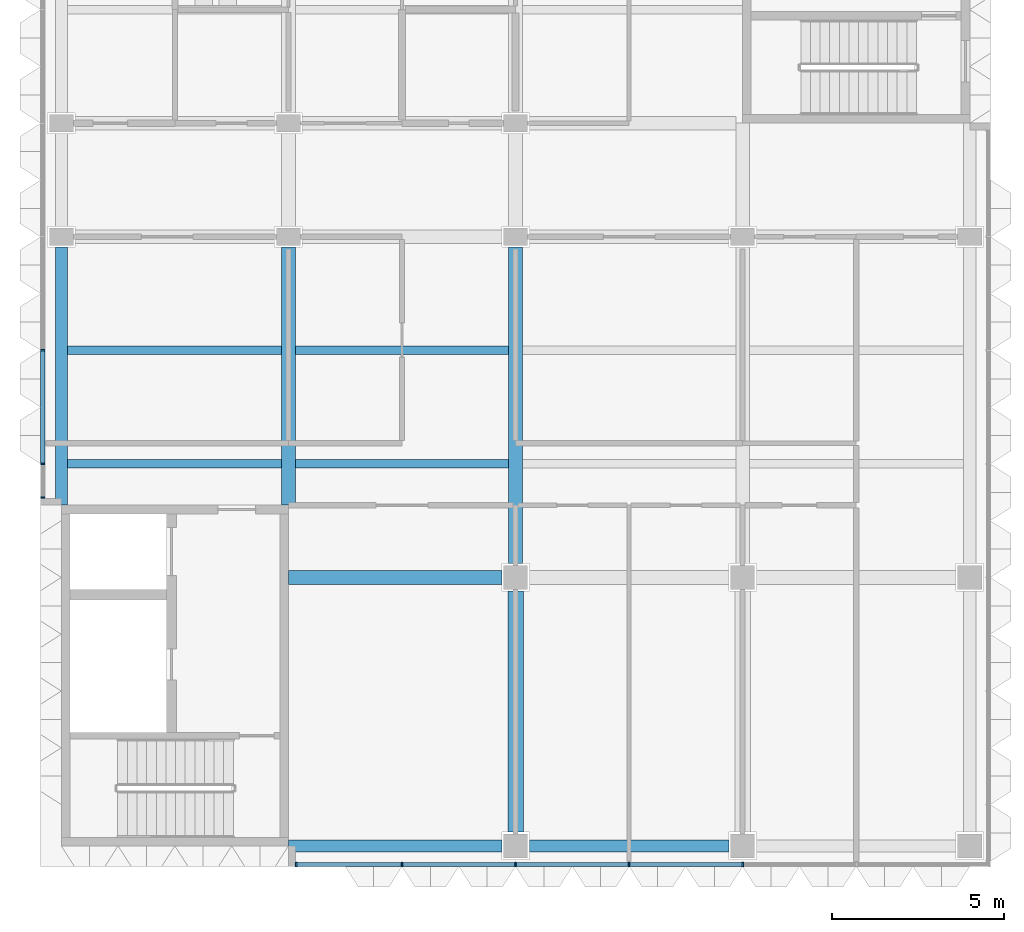
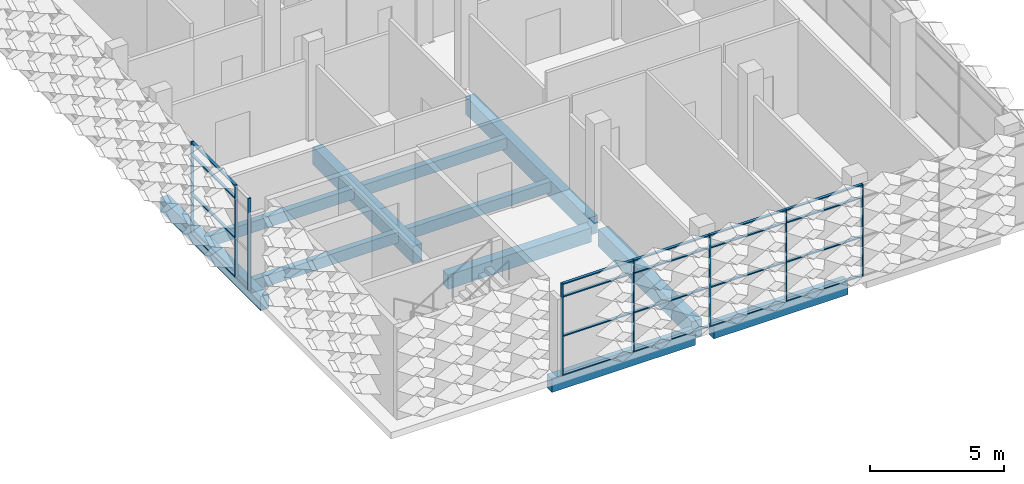
# One storey, part 2 of 29: 28 members, 11 beams, 2 elements without a shape of their own.
"""IFC4 building model written with IfcOpenShell, lengths in metres."""

from ifc_helpers import new_model, si_unit, direction, frame, origin, origin_2d, place, context, subcontext, project, spatial, rectangle, extrude, material, material_profile, profile_set, type_object, element, aggregate, save


model = new_model("IFC4")

# Units and contexts
model_context = context("Model", 3, precision=1e-05, world=origin(), true_north=direction((0.0, 1.0)))
body_context = subcontext(model_context, "Body", "Model", "MODEL_VIEW")
ifc_project = project(units=[si_unit("LENGTHUNIT", "METRE"), si_unit("AREAUNIT", "SQUARE_METRE"), si_unit("VOLUMEUNIT", "CUBIC_METRE"), si_unit("PLANEANGLEUNIT", "RADIAN"), si_unit("MASSUNIT", "GRAM", prefix="KILO")], contexts=[model_context])

# Site, building, storey
site_placement = place(None, origin())
site = spatial("IfcSite", under=ifc_project, at=site_placement, CompositionType="ELEMENT")
building_placement = place(site_placement, origin())
building = spatial("IfcBuilding", under=site, at=building_placement, Name="Lantern Court Research Institute", CompositionType="ELEMENT")
storey_placement = place(building_placement, frame((0.0, 0.0, 32.39990234375)))
storey = spatial("IfcBuildingStorey", under=building, at=storey_placement, Name="L07", CompositionType="ELEMENT", Elevation=32.39990234375)

# Curtain wall, members
ifc_material_1 = material(Name="Aluminium alloy 6063-T6", Category="aluminium")
curtain_wall_type_1 = type_object("IfcCurtainWallType", Name="Curtain wall 20200 x 4200 x 120 aluminium frame", PredefinedType="NOTDEFINED", material=ifc_material_1)
curtain_wall_1_placement = place(storey_placement, origin())
curtain_wall_1 = element("IfcCurtainWall", 1, at=curtain_wall_1_placement, inside=storey, type_object=curtain_wall_type_1, Name="Curtain wall CW083", PredefinedType="NOTDEFINED")
ifc_material_2 = material(Name="Aluminium alloy 6063-T6", Category="aluminium")
ifc_material_profile_1 = material_profile(ifc_material_2, rectangle(XDim=0.1201171875, YDim=0.050048828125, at=origin_2d()), Name="Mullion 120 x 50")
ifc_profile_set_1 = profile_set([ifc_material_profile_1], Name="Aluminium alloy 6063-T6")
member_type_1 = type_object("IfcMemberType", Name="Mullion 120 x 50 aluminium", PredefinedType="MULLION", material=ifc_profile_set_1)
member_1_placement = place(storey_placement, frame((59.625, -8.340087890625, 0.0), z_axis=(0.0, 0.0, 1.0), x_axis=(0.0, -1.0, 0.0)))
member_1 = element("IfcMember", 2, at=member_1_placement, type_object=member_type_1, Name="CW083 mullion 1", PredefinedType="MULLION", context=body_context, shape_type="SweptSolid", body=[
    extrude(rectangle(XDim=0.1201171875, YDim=0.050048828125, at=origin_2d()), origin(), (0.0, 0.0, 1.0), 4.2001953125),
])
member_2_placement = place(storey_placement, frame((62.699951171875, -8.340087890625, 0.0), z_axis=(0.0, 0.0, 1.0), x_axis=(0.0, -1.0, 0.0)))
member_2 = element("IfcMember", 3, at=member_2_placement, type_object=member_type_1, Name="CW083 mullion 2", PredefinedType="MULLION", context=body_context, shape_type="SweptSolid", body=[
    extrude(rectangle(XDim=0.1201171875, YDim=0.050048828125, at=origin_2d()), origin(), (0.0, 0.0, 1.0), 4.2001953125),
])
member_3_placement = place(storey_placement, frame((66.0, -8.340087890625, 0.0), z_axis=(0.0, 0.0, 1.0), x_axis=(0.0, -1.0, 0.0)))
member_3 = element("IfcMember", 4, at=member_3_placement, type_object=member_type_1, Name="CW083 mullion 3", PredefinedType="MULLION", context=body_context, shape_type="SweptSolid", body=[
    extrude(rectangle(XDim=0.1201171875, YDim=0.050048828125, at=origin_2d()), origin(), (0.0, 0.0, 1.0), 4.2001953125),
])
member_4_placement = place(storey_placement, frame((69.300048828125, -8.340087890625, 0.0), z_axis=(0.0, 0.0, 1.0), x_axis=(0.0, -1.0, 0.0)))
member_4 = element("IfcMember", 5, at=member_4_placement, type_object=member_type_1, Name="CW083 mullion 4", PredefinedType="MULLION", context=body_context, shape_type="SweptSolid", body=[
    extrude(rectangle(XDim=0.1201171875, YDim=0.050048828125, at=origin_2d()), origin(), (0.0, 0.0, 1.0), 4.2001953125),
])
member_5_placement = place(storey_placement, frame((72.60009765625, -8.340087890625, 0.0), z_axis=(0.0, 0.0, 1.0), x_axis=(0.0, -1.0, 0.0)))
member_5 = element("IfcMember", 6, at=member_5_placement, type_object=member_type_1, Name="CW083 mullion 5", PredefinedType="MULLION", context=body_context, shape_type="SweptSolid", body=[
    extrude(rectangle(XDim=0.1201171875, YDim=0.050048828125, at=origin_2d()), origin(), (0.0, 0.0, 1.0), 4.2001953125),
])

ifc_material_3 = material(Name="Aluminium alloy 6063-T6", Category="aluminium")
curtain_wall_type_2 = type_object("IfcCurtainWallType", Name="Curtain wall 21250 x 4200 x 120 aluminium frame", PredefinedType="NOTDEFINED", material=ifc_material_3)
curtain_wall_2_placement = place(storey_placement, origin())
curtain_wall_2 = element("IfcCurtainWall", 7, at=curtain_wall_2_placement, inside=storey, type_object=curtain_wall_type_2, Name="Curtain wall CW084", PredefinedType="NOTDEFINED")
member_6_placement = place(storey_placement, frame((52.260009765625, 2.324951171875, 0.0), z_axis=(0.0, 0.0, 1.0), x_axis=(-1.0, 0.0, 0.0)))
member_6 = element("IfcMember", 8, at=member_6_placement, type_object=member_type_1, Name="CW084 mullion 1", PredefinedType="MULLION", context=body_context, shape_type="SweptSolid", body=[
    extrude(rectangle(XDim=0.1201171875, YDim=0.050048828125, at=origin_2d()), origin(), (0.0, 0.0, 1.0), 4.2001953125),
])
member_7_placement = place(storey_placement, frame((52.260009765625, 3.300048828125, 0.0), z_axis=(0.0, 0.0, 1.0), x_axis=(-1.0, 0.0, 0.0)))
member_7 = element("IfcMember", 9, at=member_7_placement, type_object=member_type_1, Name="CW084 mullion 2", PredefinedType="MULLION", context=body_context, shape_type="SweptSolid", body=[
    extrude(rectangle(XDim=0.1201171875, YDim=0.050048828125, at=origin_2d()), origin(), (0.0, 0.0, 1.0), 4.2001953125),
])
member_8_placement = place(storey_placement, frame((52.260009765625, 6.60009765625, 0.0), z_axis=(0.0, 0.0, 1.0), x_axis=(-1.0, 0.0, 0.0)))
member_8 = element("IfcMember", 10, at=member_8_placement, type_object=member_type_1, Name="CW084 mullion 3", PredefinedType="MULLION", context=body_context, shape_type="SweptSolid", body=[
    extrude(rectangle(XDim=0.1201171875, YDim=0.050048828125, at=origin_2d()), origin(), (0.0, 0.0, 1.0), 4.2001953125),
])

# Beams
ifc_material_4 = material(Name="Concrete C40/50", Category="concrete")
ifc_material_profile_2 = material_profile(ifc_material_4, rectangle(XDim=0.39990234375, YDim=0.64990234375, at=origin_2d()), Name="RC beam 400 x 650")
ifc_profile_set_2 = profile_set([ifc_material_profile_2], Name="Concrete C40/50")
beam_type_1 = type_object("IfcBeamType", Name="RC beam 400 x 650", PredefinedType="BEAM", material=ifc_profile_set_2)
beam_1_placement = place(storey_placement, frame((59.39990234375, 0.0, -0.625), z_axis=(1.0, 0.0, 0.0), x_axis=(0.0, 1.0, 0.0)))
element("IfcBeam", 11, at=beam_1_placement, inside=storey, type_object=beam_type_1, Name="Beam L07 grid A/10-11", PredefinedType="BEAM", context=body_context, shape_type="SweptSolid", body=[
    extrude(rectangle(XDim=0.39990234375, YDim=0.64990234375, at=origin_2d()), origin(), (0.0, 0.0, 1.0), 6.2001953125),
])
ifc_material_5 = material(Name="Concrete C40/50", Category="concrete")
ifc_material_profile_3 = material_profile(ifc_material_5, rectangle(XDim=0.35009765625, YDim=0.64990234375, at=origin_2d()), Name="RC beam 350 x 650")
ifc_profile_set_3 = profile_set([ifc_material_profile_3], Name="Concrete C40/50")
beam_type_2 = type_object("IfcBeamType", Name="RC edge beam 350 x 650", PredefinedType="BEAM", material=ifc_profile_set_3)
beam_2_placement = place(storey_placement, frame((52.800048828125, 2.10009765625, -0.625), z_axis=(0.0, 1.0, 0.0), x_axis=(-1.0, 0.0, 0.0)))
element("IfcBeam", 12, at=beam_2_placement, inside=storey, type_object=beam_type_2, Name="Edge beam L07 grid 9/A-B", PredefinedType="BEAM", context=body_context, shape_type="SweptSolid", body=[
    extrude(rectangle(XDim=0.35009765625, YDim=0.64990234375, at=origin_2d()), origin(), (0.0, 0.0, 1.0), 7.5),
])
beam_3_placement = place(storey_placement, frame((59.39990234375, -7.800048828125, -0.625), z_axis=(1.0, 0.0, 0.0), x_axis=(0.0, 1.0, 0.0)))
element("IfcBeam", 13, at=beam_3_placement, inside=storey, type_object=beam_type_2, Name="Edge beam L07 grid Z/10-11", PredefinedType="BEAM", context=body_context, shape_type="SweptSolid", body=[
    extrude(rectangle(XDim=0.35009765625, YDim=0.64990234375, at=origin_2d()), origin(), (0.0, 0.0, 1.0), 6.2001953125),
])
beam_4_placement = place(storey_placement, frame((66.39990234375, -7.800048828125, -0.625), z_axis=(1.0, 0.0, 0.0), x_axis=(0.0, 1.0, 0.0)))
element("IfcBeam", 14, at=beam_4_placement, inside=storey, type_object=beam_type_2, Name="Edge beam L07 grid Z/11-12", PredefinedType="BEAM", context=body_context, shape_type="SweptSolid", body=[
    extrude(rectangle(XDim=0.35009765625, YDim=0.64990234375, at=origin_2d()), origin(), (0.0, 0.0, 1.0), 5.800048828125),
])
ifc_material_6 = material(Name="Concrete C40/50", Category="concrete")
ifc_material_profile_4 = material_profile(ifc_material_6, rectangle(XDim=0.39990234375, YDim=0.800048828125, at=origin_2d()), Name="RC beam 400 x 800")
ifc_profile_set_4 = profile_set([ifc_material_profile_4], Name="Concrete C40/50")
beam_type_3 = type_object("IfcBeamType", Name="RC girder 400 x 800", PredefinedType="BEAM", material=ifc_profile_set_4)
beam_5_placement = place(storey_placement, frame((59.39990234375, 2.10009765625, -0.699951171875), z_axis=(0.0, 1.0, 0.0), x_axis=(-1.0, 0.0, 0.0)))
element("IfcBeam", 15, at=beam_5_placement, inside=storey, type_object=beam_type_3, Name="Girder L07 grid 10/A-B", PredefinedType="BEAM", context=body_context, shape_type="SweptSolid", body=[
    extrude(rectangle(XDim=0.39990234375, YDim=0.800048828125, at=origin_2d()), origin(), (0.0, 0.0, 1.0), 7.5),
])
beam_6_placement = place(storey_placement, frame((66.0, 0.39990234375, -0.699951171875), z_axis=(0.0, 1.0, 0.0), x_axis=(-1.0, 0.0, 0.0)))
element("IfcBeam", 16, at=beam_6_placement, inside=storey, type_object=beam_type_3, Name="Girder L07 grid 11/A-B", PredefinedType="BEAM", context=body_context, shape_type="SweptSolid", body=[
    extrude(rectangle(XDim=0.39990234375, YDim=0.800048828125, at=origin_2d()), origin(), (0.0, 0.0, 1.0), 9.2001953125),
])
ifc_material_7 = material(Name="Concrete C40/50", Category="concrete")
ifc_material_profile_5 = material_profile(ifc_material_7, rectangle(XDim=0.449951171875, YDim=0.800048828125, at=origin_2d()), Name="RC beam 450 x 800")
ifc_profile_set_5 = profile_set([ifc_material_profile_5], Name="Concrete C40/50")
beam_type_4 = type_object("IfcBeamType", Name="RC girder 450 x 800", PredefinedType="BEAM", material=ifc_profile_set_5)
beam_7_placement = place(storey_placement, frame((66.0, -7.39990234375, -0.699951171875), z_axis=(0.0, 1.0, 0.0), x_axis=(-1.0, 0.0, 0.0)))
element("IfcBeam", 17, at=beam_7_placement, inside=storey, type_object=beam_type_4, Name="Girder L07 grid 11/Z-A", PredefinedType="BEAM", context=body_context, shape_type="SweptSolid", body=[
    extrude(rectangle(XDim=0.449951171875, YDim=0.800048828125, at=origin_2d()), origin(), (0.0, 0.0, 1.0), 7.0),
])
ifc_material_8 = material(Name="Concrete C40/50", Category="concrete")
ifc_material_profile_6 = material_profile(ifc_material_8, rectangle(XDim=0.25, YDim=0.5, at=origin_2d()), Name="RC beam 250 x 500")
ifc_profile_set_6 = profile_set([ifc_material_profile_6], Name="Concrete C40/50")
beam_type_5 = type_object("IfcBeamType", Name="RC secondary beam 250 x 500", PredefinedType="BEAM", material=ifc_profile_set_6)
beam_8_placement = place(storey_placement, frame((52.97509765625, 3.300048828125, -0.5498046875), z_axis=(1.0, 0.0, 0.0), x_axis=(0.0, 1.0, 0.0)))
element("IfcBeam", 18, at=beam_8_placement, inside=storey, type_object=beam_type_5, Name="Secondary beam L07 grids 9-10 / A-B, line 1", PredefinedType="BEAM", context=body_context, shape_type="SweptSolid", body=[
    extrude(rectangle(XDim=0.25, YDim=0.5, at=origin_2d()), origin(), (0.0, 0.0, 1.0), 6.224853515625),
])
beam_9_placement = place(storey_placement, frame((59.60009765625, 3.300048828125, -0.5498046875), z_axis=(1.0, 0.0, 0.0), x_axis=(0.0, 1.0, 0.0)))
element("IfcBeam", 19, at=beam_9_placement, inside=storey, type_object=beam_type_5, Name="Secondary beam L07 grids 10-11 / A-B, line 1", PredefinedType="BEAM", context=body_context, shape_type="SweptSolid", body=[
    extrude(rectangle(XDim=0.25, YDim=0.5, at=origin_2d()), origin(), (0.0, 0.0, 1.0), 6.199951171875),
])
beam_10_placement = place(storey_placement, frame((52.97509765625, 6.60009765625, -0.5498046875), z_axis=(1.0, 0.0, 0.0), x_axis=(0.0, 1.0, 0.0)))
element("IfcBeam", 20, at=beam_10_placement, inside=storey, type_object=beam_type_5, Name="Secondary beam L07 grids 9-10 / A-B, line 2", PredefinedType="BEAM", context=body_context, shape_type="SweptSolid", body=[
    extrude(rectangle(XDim=0.25, YDim=0.5, at=origin_2d()), origin(), (0.0, 0.0, 1.0), 6.224853515625),
])
beam_11_placement = place(storey_placement, frame((59.60009765625, 6.60009765625, -0.5498046875), z_axis=(1.0, 0.0, 0.0), x_axis=(0.0, 1.0, 0.0)))
element("IfcBeam", 21, at=beam_11_placement, inside=storey, type_object=beam_type_5, Name="Secondary beam L07 grids 10-11 / A-B, line 2", PredefinedType="BEAM", context=body_context, shape_type="SweptSolid", body=[
    extrude(rectangle(XDim=0.25, YDim=0.5, at=origin_2d()), origin(), (0.0, 0.0, 1.0), 6.199951171875),
])

# Member
ifc_material_9 = material(Name="Aluminium alloy 6063-T6", Category="aluminium")
ifc_material_profile_7 = material_profile(ifc_material_9, rectangle(XDim=0.1201171875, YDim=0.050048828125, at=origin_2d()), Name="Transom 120 x 50")
ifc_profile_set_7 = profile_set([ifc_material_profile_7], Name="Aluminium alloy 6063-T6")
member_type_2 = type_object("IfcMemberType", Name="Transom 120 x 50 aluminium", PredefinedType="USERDEFINED", material=ifc_profile_set_7)
member_9_placement = place(storey_placement, frame((62.675048828125, -8.340087890625, 0.025146484375), z_axis=(-1.0, 0.0, 0.0), x_axis=(0.0, -1.0, 0.0)))
member_9 = element("IfcMember", 22, at=member_9_placement, type_object=member_type_2, Name="CW083 transom 1.1", ObjectType="TRANSOM", PredefinedType="USERDEFINED", context=body_context, shape_type="SweptSolid", body=[
    extrude(rectangle(XDim=0.1201171875, YDim=0.050048828125, at=origin_2d()), origin(), (0.0, 0.0, 1.0), 3.025146484375),
])

member_10_placement = place(storey_placement, frame((62.675048828125, -8.340087890625, 1.800048828125), z_axis=(-1.0, 0.0, 0.0), x_axis=(0.0, -1.0, 0.0)))
member_10 = element("IfcMember", 23, at=member_10_placement, type_object=member_type_2, Name="CW083 transom 1.2", ObjectType="TRANSOM", PredefinedType="USERDEFINED", context=body_context, shape_type="SweptSolid", body=[
    extrude(rectangle(XDim=0.1201171875, YDim=0.050048828125, at=origin_2d()), origin(), (0.0, 0.0, 1.0), 3.025146484375),
])

member_11_placement = place(storey_placement, frame((62.675048828125, -8.340087890625, 3.60009765625), z_axis=(-1.0, 0.0, 0.0), x_axis=(0.0, -1.0, 0.0)))
member_11 = element("IfcMember", 24, at=member_11_placement, type_object=member_type_2, Name="CW083 transom 1.3", ObjectType="TRANSOM", PredefinedType="USERDEFINED", context=body_context, shape_type="SweptSolid", body=[
    extrude(rectangle(XDim=0.1201171875, YDim=0.050048828125, at=origin_2d()), origin(), (0.0, 0.0, 1.0), 3.025146484375),
])

member_12_placement = place(storey_placement, frame((62.675048828125, -8.340087890625, 4.175048828125), z_axis=(-1.0, 0.0, 0.0), x_axis=(0.0, -1.0, 0.0)))
member_12 = element("IfcMember", 25, at=member_12_placement, type_object=member_type_2, Name="CW083 transom 1.4", ObjectType="TRANSOM", PredefinedType="USERDEFINED", context=body_context, shape_type="SweptSolid", body=[
    extrude(rectangle(XDim=0.1201171875, YDim=0.050048828125, at=origin_2d()), origin(), (0.0, 0.0, 1.0), 3.025146484375),
])

member_13_placement = place(storey_placement, frame((65.97509765625, -8.340087890625, 0.025146484375), z_axis=(-1.0, 0.0, 0.0), x_axis=(0.0, -1.0, 0.0)))
member_13 = element("IfcMember", 26, at=member_13_placement, type_object=member_type_2, Name="CW083 transom 2.1", ObjectType="TRANSOM", PredefinedType="USERDEFINED", context=body_context, shape_type="SweptSolid", body=[
    extrude(rectangle(XDim=0.1201171875, YDim=0.050048828125, at=origin_2d()), origin(), (0.0, 0.0, 1.0), 3.25),
])

member_14_placement = place(storey_placement, frame((65.97509765625, -8.340087890625, 1.800048828125), z_axis=(-1.0, 0.0, 0.0), x_axis=(0.0, -1.0, 0.0)))
member_14 = element("IfcMember", 27, at=member_14_placement, type_object=member_type_2, Name="CW083 transom 2.2", ObjectType="TRANSOM", PredefinedType="USERDEFINED", context=body_context, shape_type="SweptSolid", body=[
    extrude(rectangle(XDim=0.1201171875, YDim=0.050048828125, at=origin_2d()), origin(), (0.0, 0.0, 1.0), 3.25),
])

member_15_placement = place(storey_placement, frame((65.97509765625, -8.340087890625, 3.60009765625), z_axis=(-1.0, 0.0, 0.0), x_axis=(0.0, -1.0, 0.0)))
member_15 = element("IfcMember", 28, at=member_15_placement, type_object=member_type_2, Name="CW083 transom 2.3", ObjectType="TRANSOM", PredefinedType="USERDEFINED", context=body_context, shape_type="SweptSolid", body=[
    extrude(rectangle(XDim=0.1201171875, YDim=0.050048828125, at=origin_2d()), origin(), (0.0, 0.0, 1.0), 3.25),
])

member_16_placement = place(storey_placement, frame((65.97509765625, -8.340087890625, 4.175048828125), z_axis=(-1.0, 0.0, 0.0), x_axis=(0.0, -1.0, 0.0)))
member_16 = element("IfcMember", 29, at=member_16_placement, type_object=member_type_2, Name="CW083 transom 2.4", ObjectType="TRANSOM", PredefinedType="USERDEFINED", context=body_context, shape_type="SweptSolid", body=[
    extrude(rectangle(XDim=0.1201171875, YDim=0.050048828125, at=origin_2d()), origin(), (0.0, 0.0, 1.0), 3.25),
])

member_17_placement = place(storey_placement, frame((69.27490234375, -8.340087890625, 0.025146484375), z_axis=(-1.0, 0.0, 0.0), x_axis=(0.0, -1.0, 0.0)))
member_17 = element("IfcMember", 30, at=member_17_placement, type_object=member_type_2, Name="CW083 transom 3.1", ObjectType="TRANSOM", PredefinedType="USERDEFINED", context=body_context, shape_type="SweptSolid", body=[
    extrude(rectangle(XDim=0.1201171875, YDim=0.050048828125, at=origin_2d()), origin(), (0.0, 0.0, 1.0), 3.25),
])

member_18_placement = place(storey_placement, frame((69.27490234375, -8.340087890625, 1.800048828125), z_axis=(-1.0, 0.0, 0.0), x_axis=(0.0, -1.0, 0.0)))
member_18 = element("IfcMember", 31, at=member_18_placement, type_object=member_type_2, Name="CW083 transom 3.2", ObjectType="TRANSOM", PredefinedType="USERDEFINED", context=body_context, shape_type="SweptSolid", body=[
    extrude(rectangle(XDim=0.1201171875, YDim=0.050048828125, at=origin_2d()), origin(), (0.0, 0.0, 1.0), 3.25),
])

member_19_placement = place(storey_placement, frame((69.27490234375, -8.340087890625, 3.60009765625), z_axis=(-1.0, 0.0, 0.0), x_axis=(0.0, -1.0, 0.0)))
member_19 = element("IfcMember", 32, at=member_19_placement, type_object=member_type_2, Name="CW083 transom 3.3", ObjectType="TRANSOM", PredefinedType="USERDEFINED", context=body_context, shape_type="SweptSolid", body=[
    extrude(rectangle(XDim=0.1201171875, YDim=0.050048828125, at=origin_2d()), origin(), (0.0, 0.0, 1.0), 3.25),
])

member_20_placement = place(storey_placement, frame((69.27490234375, -8.340087890625, 4.175048828125), z_axis=(-1.0, 0.0, 0.0), x_axis=(0.0, -1.0, 0.0)))
member_20 = element("IfcMember", 33, at=member_20_placement, type_object=member_type_2, Name="CW083 transom 3.4", ObjectType="TRANSOM", PredefinedType="USERDEFINED", context=body_context, shape_type="SweptSolid", body=[
    extrude(rectangle(XDim=0.1201171875, YDim=0.050048828125, at=origin_2d()), origin(), (0.0, 0.0, 1.0), 3.25),
])

member_21_placement = place(storey_placement, frame((72.574951171875, -8.340087890625, 0.025146484375), z_axis=(-1.0, 0.0, 0.0), x_axis=(0.0, -1.0, 0.0)))
member_21 = element("IfcMember", 34, at=member_21_placement, type_object=member_type_2, Name="CW083 transom 4.1", ObjectType="TRANSOM", PredefinedType="USERDEFINED", context=body_context, shape_type="SweptSolid", body=[
    extrude(rectangle(XDim=0.1201171875, YDim=0.050048828125, at=origin_2d()), origin(), (0.0, 0.0, 1.0), 3.25),
])

member_22_placement = place(storey_placement, frame((72.574951171875, -8.340087890625, 1.800048828125), z_axis=(-1.0, 0.0, 0.0), x_axis=(0.0, -1.0, 0.0)))
member_22 = element("IfcMember", 35, at=member_22_placement, type_object=member_type_2, Name="CW083 transom 4.2", ObjectType="TRANSOM", PredefinedType="USERDEFINED", context=body_context, shape_type="SweptSolid", body=[
    extrude(rectangle(XDim=0.1201171875, YDim=0.050048828125, at=origin_2d()), origin(), (0.0, 0.0, 1.0), 3.25),
])

member_23_placement = place(storey_placement, frame((72.574951171875, -8.340087890625, 3.60009765625), z_axis=(-1.0, 0.0, 0.0), x_axis=(0.0, -1.0, 0.0)))
member_23 = element("IfcMember", 36, at=member_23_placement, type_object=member_type_2, Name="CW083 transom 4.3", ObjectType="TRANSOM", PredefinedType="USERDEFINED", context=body_context, shape_type="SweptSolid", body=[
    extrude(rectangle(XDim=0.1201171875, YDim=0.050048828125, at=origin_2d()), origin(), (0.0, 0.0, 1.0), 3.25),
])

member_24_placement = place(storey_placement, frame((72.574951171875, -8.340087890625, 4.175048828125), z_axis=(-1.0, 0.0, 0.0), x_axis=(0.0, -1.0, 0.0)))
member_24 = element("IfcMember", 37, at=member_24_placement, type_object=member_type_2, Name="CW083 transom 4.4", ObjectType="TRANSOM", PredefinedType="USERDEFINED", context=body_context, shape_type="SweptSolid", body=[
    extrude(rectangle(XDim=0.1201171875, YDim=0.050048828125, at=origin_2d()), origin(), (0.0, 0.0, 1.0), 3.25),
])

aggregate(curtain_wall_1, [member_1, member_2, member_3, member_4, member_5, member_9, member_10, member_11, member_12, member_13, member_14, member_15, member_16, member_17, member_18, member_19, member_20, member_21, member_22, member_23, member_24])

member_25_placement = place(storey_placement, frame((52.260009765625, 3.324951171875, 0.025146484375), z_axis=(0.0, 1.0, 0.0), x_axis=(-1.0, 0.0, 0.0)))
member_25 = element("IfcMember", 38, at=member_25_placement, type_object=member_type_2, Name="CW084 transom 2.1", ObjectType="TRANSOM", PredefinedType="USERDEFINED", context=body_context, shape_type="SweptSolid", body=[
    extrude(rectangle(XDim=0.1201171875, YDim=0.050048828125, at=origin_2d()), origin(), (0.0, 0.0, 1.0), 3.25),
])

member_26_placement = place(storey_placement, frame((52.260009765625, 3.324951171875, 1.800048828125), z_axis=(0.0, 1.0, 0.0), x_axis=(-1.0, 0.0, 0.0)))
member_26 = element("IfcMember", 39, at=member_26_placement, type_object=member_type_2, Name="CW084 transom 2.2", ObjectType="TRANSOM", PredefinedType="USERDEFINED", context=body_context, shape_type="SweptSolid", body=[
    extrude(rectangle(XDim=0.1201171875, YDim=0.050048828125, at=origin_2d()), origin(), (0.0, 0.0, 1.0), 3.25),
])

member_27_placement = place(storey_placement, frame((52.260009765625, 3.324951171875, 3.60009765625), z_axis=(0.0, 1.0, 0.0), x_axis=(-1.0, 0.0, 0.0)))
member_27 = element("IfcMember", 40, at=member_27_placement, type_object=member_type_2, Name="CW084 transom 2.3", ObjectType="TRANSOM", PredefinedType="USERDEFINED", context=body_context, shape_type="SweptSolid", body=[
    extrude(rectangle(XDim=0.1201171875, YDim=0.050048828125, at=origin_2d()), origin(), (0.0, 0.0, 1.0), 3.25),
])

member_28_placement = place(storey_placement, frame((52.260009765625, 3.324951171875, 4.175048828125), z_axis=(0.0, 1.0, 0.0), x_axis=(-1.0, 0.0, 0.0)))
member_28 = element("IfcMember", 41, at=member_28_placement, type_object=member_type_2, Name="CW084 transom 2.4", ObjectType="TRANSOM", PredefinedType="USERDEFINED", context=body_context, shape_type="SweptSolid", body=[
    extrude(rectangle(XDim=0.1201171875, YDim=0.050048828125, at=origin_2d()), origin(), (0.0, 0.0, 1.0), 3.25),
])

aggregate(curtain_wall_2, [member_6, member_7, member_8, member_25, member_26, member_27, member_28])

save(model, "model.ifc")
